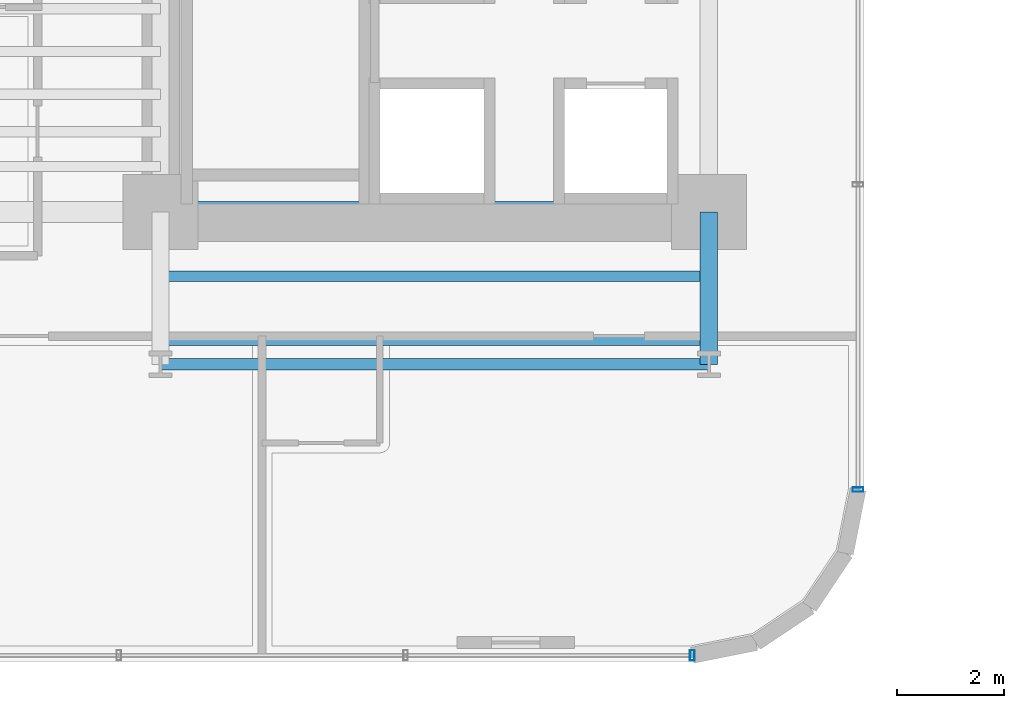
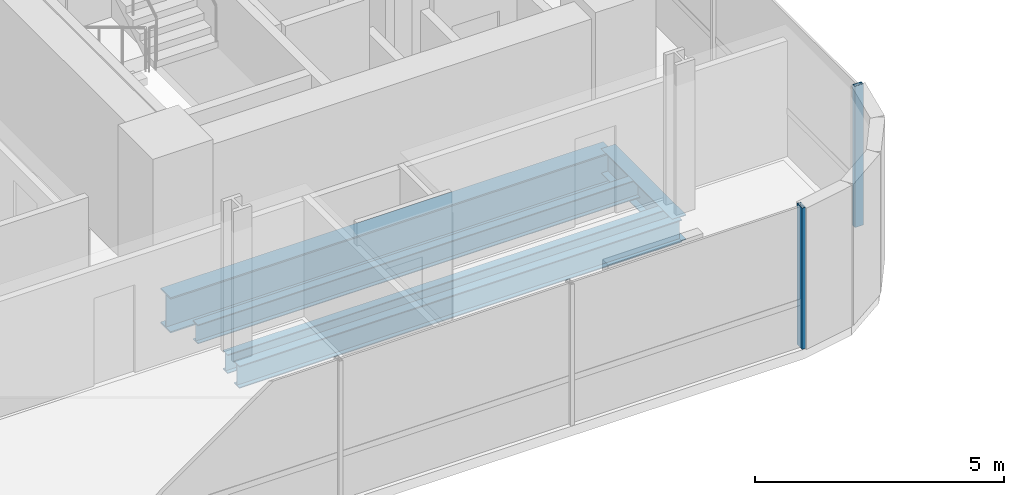
# One storey, part 5 of 40: 5 beams, 2 members, 2 elements without a shape of their own.
"""IFC4 building model written with IfcOpenShell, lengths in metres."""

from ifc_helpers import new_model, si_unit, direction, frame, origin, origin_2d, place, context, subcontext, project, spatial, hollow_rectangle, i_section, extrude, source, transform, mapped, material, material_profile, profile_set, type_object, element, aggregate, save


model = new_model("IFC4")

# Units and contexts
model_context = context("Model", 3, precision=1e-05, world=origin(), true_north=direction((0.0, 1.0)))
body_context = subcontext(model_context, "Body", "Model", "MODEL_VIEW")
ifc_project = project(units=[si_unit("LENGTHUNIT", "METRE"), si_unit("AREAUNIT", "SQUARE_METRE"), si_unit("VOLUMEUNIT", "CUBIC_METRE"), si_unit("PLANEANGLEUNIT", "RADIAN"), si_unit("MASSUNIT", "GRAM", prefix="KILO")], contexts=[model_context])

# Site, building, storey
site_placement = place(None, origin())
site = spatial("IfcSite", under=ifc_project, at=site_placement, CompositionType="ELEMENT")
building_placement = place(site_placement, origin())
building = spatial("IfcBuilding", under=site, at=building_placement, Name="Valdorenza Pilgrim Sanctuary Tower", CompositionType="ELEMENT")
storey_placement = place(building_placement, frame((0.0, 0.0, 44.5)))
storey = spatial("IfcBuildingStorey", under=building, at=storey_placement, Name="L10", CompositionType="ELEMENT", Elevation=44.5)

# Beams
ifc_material_1 = material(Name="Steel ASTM A992 Grade 50", Category="steel")
ifc_material_profile_1 = material_profile(ifc_material_1, i_section(OverallWidth=0.214111328125, OverallDepth=0.549072265625, WebThickness=0.0146484375, FlangeThickness=0.023681640625, at=origin_2d()), Name="W21X93")
ifc_profile_set_1 = profile_set([ifc_material_profile_1], Name="Steel ASTM A992 Grade 50")
beam_type_1 = type_object("IfcBeamType", Name="STR-BM-SPN-W21A", PredefinedType="SPANDREL", material=ifc_profile_set_1)
shared_shape_1 = source(origin(), body_context, "Body", "SweptSolid", [
    extrude(i_section(OverallWidth=0.214111328125, OverallDepth=0.549072265625, WebThickness=0.0146484375, FlangeThickness=0.023681640625, at=origin_2d()), origin(), (0.0, 0.0, 1.0), 10.25),
])
beam_1_placement = place(storey_placement, frame((-22.64990234375, -13.449951171875, -0.514404296875), z_axis=(1.0, 0.0, 0.0), x_axis=(0.0, 1.0, 0.0)))
element("IfcBeam", 1, at=beam_1_placement, inside=storey, type_object=beam_type_1, Name="L10 South Spandrel WA-S-TIE", PredefinedType="SPANDREL", context=body_context, shape_type="MappedRepresentation", body=[
    mapped(shared_shape_1, transform((0.0, 0.0, 0.0), x_axis=(1.0, 0.0, 0.0), y_axis=(0.0, 1.0, 0.0), z_axis=(0.0, 0.0, 1.0), scale=1.0)),
])
ifc_material_profile_2 = material_profile(ifc_material_1, i_section(OverallWidth=0.323974609375, OverallDepth=0.611083984375, WebThickness=0.0126953125, FlangeThickness=0.01904296875, at=origin_2d()), Name="W24X104")
ifc_profile_set_2 = profile_set([ifc_material_profile_2], Name="Steel ASTM A992 Grade 50")
beam_type_2 = type_object("IfcBeamType", Name="STR-BM-GRD-W24B", PredefinedType="BEAM", material=ifc_profile_set_2)
shared_shape_2 = source(origin(), body_context, "Body", "SweptSolid", [
    extrude(i_section(OverallWidth=0.323974609375, OverallDepth=0.611083984375, WebThickness=0.0126953125, FlangeThickness=0.01904296875, at=origin_2d()), origin(), (0.0, 0.0, 1.0), 2.849853515625),
])
beam_2_placement = place(storey_placement, frame((-12.39990234375, -13.449951171875, -0.54541015625), z_axis=(0.0, 1.0, 0.0), x_axis=(-1.0, 0.0, 0.0)))
element("IfcBeam", 2, at=beam_2_placement, inside=storey, type_object=beam_type_2, Name="L10 Floor Girder WA-S-LE", PredefinedType="BEAM", context=body_context, shape_type="MappedRepresentation", body=[
    mapped(shared_shape_2, transform((0.0, 0.0, 0.0), x_axis=(1.0, 0.0, 0.0), y_axis=(0.0, 1.0, 0.0), z_axis=(0.0, 0.0, 1.0), scale=1.0)),
])
ifc_material_profile_3 = material_profile(ifc_material_1, i_section(OverallWidth=0.193115234375, OverallDepth=0.466064453125, WebThickness=0.011474609375, FlangeThickness=0.01904296875, at=origin_2d()), Name="W18X65")
ifc_profile_set_3 = profile_set([ifc_material_profile_3], Name="Steel ASTM A992 Grade 50")
beam_type_3 = type_object("IfcBeamType", Name="STR-BM-JST-W18A", PredefinedType="JOIST", material=ifc_profile_set_3)
shared_shape_3 = source(origin(), body_context, "Body", "SweptSolid", [
    extrude(i_section(OverallWidth=0.193115234375, OverallDepth=0.466064453125, WebThickness=0.011474609375, FlangeThickness=0.01904296875, at=origin_2d()), origin(), (0.0, 0.0, 1.0), 10.25),
])
for number, where, z_axis, x_axis, name in (
    (3, (-22.64990234375, -13.0, -0.472900390625), (1.0, 0.0, 0.0), (0.0, 1.0, 0.0), "L10 Composite Floor Joist JST-WAS-1"),
    (4, (-22.64990234375, -11.800048828125, -0.472900390625), (1.0, 0.0, 0.0), (0.0, 1.0, 0.0), "L10 Composite Floor Joist JST-WAS-2"),
):
    element("IfcBeam", number, at=place(storey_placement, frame(where, z_axis=z_axis, x_axis=x_axis)), inside=storey, type_object=beam_type_3, Name=name, PredefinedType="JOIST", context=body_context, shape_type="MappedRepresentation", body=[
        mapped(shared_shape_3, transform((0.0, 0.0, 0.0), x_axis=(1.0, 0.0, 0.0), y_axis=(0.0, 1.0, 0.0), z_axis=(0.0, 0.0, 1.0), scale=1.0)),
    ])
ifc_material_profile_4 = material_profile(ifc_material_1, i_section(OverallWidth=0.39990234375, OverallDepth=0.862060546875, WebThickness=0.019775390625, FlangeThickness=0.032470703125, at=origin_2d()), Name="W33X221")
ifc_profile_set_4 = profile_set([ifc_material_profile_4], Name="Steel ASTM A992 Grade 50")
beam_type_4 = type_object("IfcBeamType", Name="STR-BM-GRD-W33", PredefinedType="BEAM", material=ifc_profile_set_4)
shared_shape_4 = source(origin(), body_context, "Body", "SweptSolid", [
    extrude(i_section(OverallWidth=0.39990234375, OverallDepth=0.862060546875, WebThickness=0.019775390625, FlangeThickness=0.032470703125, at=origin_2d()), origin(), (0.0, 0.0, 1.0), 10.25),
])
beam_3_placement = place(storey_placement, frame((-22.64990234375, -10.60009765625, -0.6708984375), z_axis=(1.0, 0.0, 0.0), x_axis=(0.0, 1.0, 0.0)))
element("IfcBeam", 5, at=beam_3_placement, inside=storey, type_object=beam_type_4, Name="L10 Floor Girder CA-XC-S1", PredefinedType="BEAM", context=body_context, shape_type="MappedRepresentation", body=[
    mapped(shared_shape_4, transform((0.0, 0.0, 0.0), x_axis=(1.0, 0.0, 0.0), y_axis=(0.0, 1.0, 0.0), z_axis=(0.0, 0.0, 1.0), scale=1.0)),
])

# Curtain wall, member
ifc_material_2 = material(Name="Curtain-wall IGU glazing", Category="glass")
curtain_wall_type = type_object("IfcCurtainWallType", Name="CW-SYS-02", PredefinedType="NOTDEFINED", material=ifc_material_2)
curtain_wall_1_placement = place(storey_placement, origin())
curtain_wall_1 = element("IfcCurtainWall", 6, at=curtain_wall_1_placement, inside=storey, type_object=curtain_wall_type, Name="L10 Curtain Wall CW-L10-1-41", PredefinedType="NOTDEFINED")
ifc_material_3 = material(Name="Anodised aluminium AW-6060", Category="aluminium")
ifc_material_profile_5 = material_profile(ifc_material_3, hollow_rectangle(XDim=0.0849609375, YDim=0.199951171875, WallThickness=0.0048828125, at=origin_2d()), Name="ALU-M 200x85x5")
ifc_profile_set_5 = profile_set([ifc_material_profile_5], Name="Anodised aluminium AW-6060")
member_type = type_object("IfcMemberType", Name="CW-MUL-02", PredefinedType="MULLION", material=ifc_profile_set_5)
shared_shape_5 = source(origin(), body_context, "Body", "SweptSolid", [
    extrude(hollow_rectangle(XDim=0.0849609375, YDim=0.199951171875, WallThickness=0.0048828125, at=origin_2d()), origin(), (0.0, 0.0, 1.0), 3.4599609375),
])
member_1_placement = place(storey_placement, frame((-9.610107421875, -15.789306640625, 0.0), z_axis=(0.0, 0.0, 1.0), x_axis=(0.0, -1.0, 0.0)))
member_1 = element("IfcMember", 7, at=member_1_placement, type_object=member_type, Name="CW-L10-1-41 Mullion 5", PredefinedType="MULLION", context=body_context, shape_type="MappedRepresentation", body=[
    mapped(shared_shape_5, transform((0.0, 0.0, 0.0), x_axis=(1.0, 0.0, 0.0), y_axis=(0.0, 1.0, 0.0), z_axis=(0.0, 0.0, 1.0), scale=1.0)),
])
aggregate(curtain_wall_1, [member_1])

curtain_wall_2_placement = place(storey_placement, origin())
curtain_wall_2 = element("IfcCurtainWall", 8, at=curtain_wall_2_placement, inside=storey, type_object=curtain_wall_type, Name="L10 Curtain Wall CW-L10-1-46", PredefinedType="NOTDEFINED")
member_2_placement = place(storey_placement, frame((-12.710693359375, -18.889892578125, 0.0), z_axis=(0.0, 0.0, 1.0), x_axis=(-1.0, 0.0, 0.0)))
member_2 = element("IfcMember", 9, at=member_2_placement, type_object=member_type, Name="CW-L10-1-46 Mullion 1", PredefinedType="MULLION", context=body_context, shape_type="MappedRepresentation", body=[
    mapped(shared_shape_5, transform((0.0, 0.0, 0.0), x_axis=(1.0, 0.0, 0.0), y_axis=(0.0, 1.0, 0.0), z_axis=(0.0, 0.0, 1.0), scale=1.0)),
])
aggregate(curtain_wall_2, [member_2])

save(model, "model.ifc")
